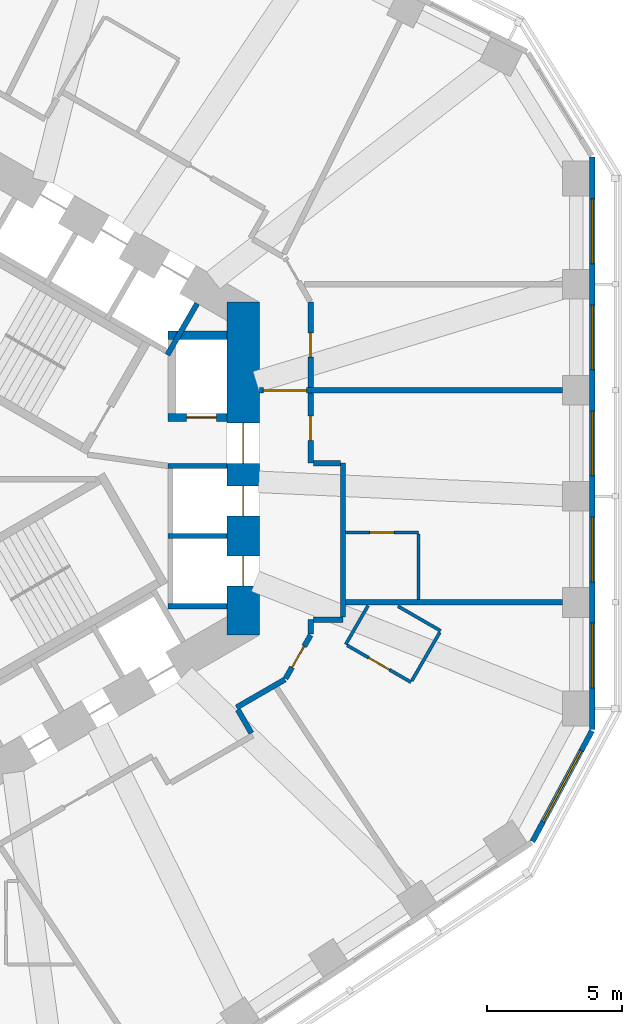
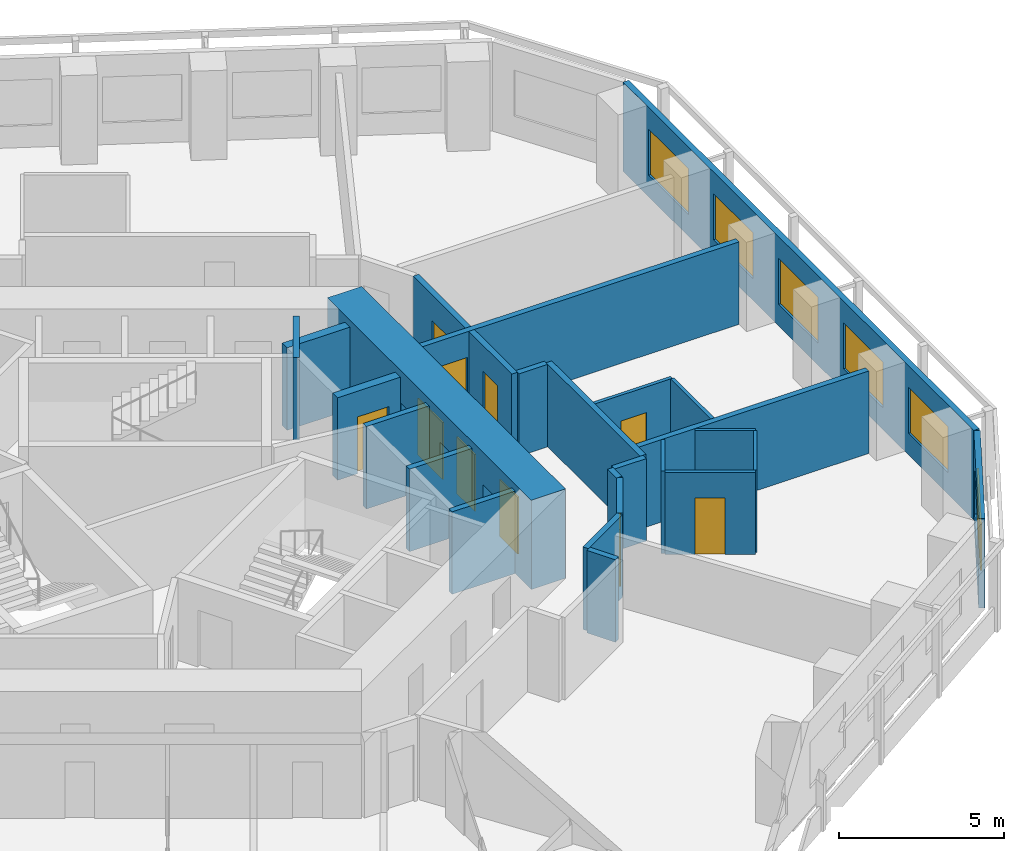
# One storey, part 6 of 11: 26 walls, 10 doors, 6 windows, 16 openings.
"""IFC4 building model written with IfcOpenShell, lengths in metres."""

from ifc_helpers import new_model, si_unit, direction, frame, frame_2d, origin, place, context, subcontext, project, spatial, rectangle, extrude, material, layer, layer_set, type_object, element, fill, save


model = new_model("IFC4")

# Units and contexts
model_context = context("Model", 3, precision=1e-05, world=origin(), true_north=direction((0.0, 1.0)))
body_context = subcontext(model_context, "Body", "Model", "MODEL_VIEW")
ifc_project = project(units=[si_unit("LENGTHUNIT", "METRE"), si_unit("AREAUNIT", "SQUARE_METRE"), si_unit("VOLUMEUNIT", "CUBIC_METRE"), si_unit("PLANEANGLEUNIT", "RADIAN"), si_unit("MASSUNIT", "GRAM", prefix="KILO")], contexts=[model_context])

# Site, building, storey
site_placement = place(None, origin())
site = spatial("IfcSite", under=ifc_project, at=site_placement, CompositionType="ELEMENT")
building_placement = place(site_placement, origin())
building = spatial("IfcBuilding", under=site, at=building_placement, Name="Vanh Sen Convention Tower", CompositionType="ELEMENT")
storey_placement = place(building_placement, frame((0.0, 0.0, 96.800048828125)))
storey = spatial("IfcBuildingStorey", under=building, at=storey_placement, Name="L22", CompositionType="ELEMENT", Elevation=96.800048828125)

# Wall
ifc_material_1 = material(Name="Moisture-resistant gypsum board on steel studs", Category="steel")
ifc_layer_1 = layer(ifc_material_1, 0.1201171875)
ifc_layer_set_1 = layer_set([ifc_layer_1], Name="Moisture-resistant gypsum board on steel studs")
wall_type_1 = type_object("IfcWallType", Name="Bathroom partition 120", PredefinedType="PARTITIONING", material=ifc_layer_set_1)
wall_1_placement = place(storey_placement, frame((13.90087890625, -6.5244140625, 0.0), z_axis=(0.0, 0.0, 1.0), x_axis=(0.499964162598, 0.86604609353, 0.0)))
element("IfcWall", 1, at=wall_1_placement, inside=storey, type_object=wall_type_1, Name="Bathroom partition 120", PredefinedType="PARTITIONING", context=body_context, shape_type="SweptSolid", body=[
    extrude(rectangle(XDim=1.6611328125, YDim=0.1201171875, at=frame_2d((0.83056640625, 0.0))), origin(), (0.0, 0.0, 1.0), 3.050048828125),
])

# Wall, opening, door
wall_2_placement = place(storey_placement, frame((13.90087890625, -2.364501953125, 0.0), z_axis=(0.0, 0.0, 1.0), x_axis=(1.0, 0.0, 0.0)))
wall_2 = element("IfcWall", 2, at=wall_2_placement, inside=storey, type_object=wall_type_1, Name="Bathroom partition 120", PredefinedType="PARTITIONING", context=body_context, shape_type="SweptSolid", body=[
    extrude(rectangle(XDim=2.7001953125, YDim=0.1201171875, at=frame_2d((1.35009765625, 0.0))), origin(), (0.0, 0.0, 1.0), 3.050048828125),
])
opening_1_placement = place(wall_2_placement, frame((0.89990234375, 0.0, 0.0)))
opening_1 = element("IfcOpeningElement", 3, at=opening_1_placement, cuts=wall_2, Name="Opening D22102", PredefinedType="OPENING", context=body_context, shape_type="SweptSolid", body=[
    extrude(rectangle(XDim=0.89990234375, YDim=2.10009765625, at=frame_2d((0.449951171875, 1.050048828125))), frame((0.0, 0.070068359375, 0.0), z_axis=(0.0, -1.0, 0.0), x_axis=(1.0, 0.0, 0.0)), (0.0, 0.0, 1.0), 0.14013671875),
])
ifc_material_2 = material(Name="Laminate door in steel frame", Category="steel")
door_type_1 = type_object("IfcDoorType", Name="En-suite door 900", OperationType="SINGLE_SWING_LEFT", PredefinedType="DOOR", material=ifc_material_2)
door_1_placement = place(opening_1_placement, origin())
door_1 = element("IfcDoor", 4, at=door_1_placement, inside=storey, type_object=door_type_1, Name="En-suite door D22102", OperationType="SINGLE_SWING_LEFT", OverallHeight=2.10009765625, OverallWidth=0.89990234375, PredefinedType="DOOR", context=body_context, shape_type="SweptSolid", body=[
    extrude(rectangle(XDim=0.89990234375, YDim=2.10009765625, at=frame_2d((0.449951171875, 1.050048828125))), frame((0.0, 0.02490234375, 0.0), z_axis=(0.0, -1.0, 0.0), x_axis=(1.0, 0.0, 0.0)), (0.0, 0.0, 1.0), 0.050048828125),
])
fill(opening_1, door_1)

# Wall
wall_3_placement = place(storey_placement, frame((15.84130859375, -5.1044921875, 0.0), z_axis=(0.0, 0.0, 1.0), x_axis=(0.866025591402, -0.499999675036, 0.0)))
element("IfcWall", 5, at=wall_3_placement, inside=storey, type_object=wall_type_1, Name="Bathroom partition 120", PredefinedType="PARTITIONING", context=body_context, shape_type="SweptSolid", body=[
    extrude(rectangle(XDim=1.82958984375, YDim=0.1201171875, at=frame_2d((0.914794921875, 0.0))), origin(), (0.0, 0.0, 1.0), 3.050048828125),
])

# Wall, opening, door
wall_4_placement = place(storey_placement, frame((16.32568359375, -7.924560546875, 0.0), z_axis=(0.0, 0.0, 1.0), x_axis=(-0.865997131366, 0.500048966069, 0.0)))
wall_4 = element("IfcWall", 6, at=wall_4_placement, inside=storey, type_object=wall_type_1, Name="Bathroom partition 120", PredefinedType="PARTITIONING", context=body_context, shape_type="SweptSolid", body=[
    extrude(rectangle(XDim=2.739990234375, YDim=0.1201171875, at=frame_2d((1.3701171875, 0.0))), origin(), (0.0, 0.0, 1.0), 3.050048828125),
])
opening_2_placement = place(wall_4_placement, frame((0.919921875, 0.0, 0.0)))
opening_2 = element("IfcOpeningElement", 7, at=opening_2_placement, cuts=wall_4, Name="Opening D22127", PredefinedType="OPENING", context=body_context, shape_type="SweptSolid", body=[
    extrude(rectangle(XDim=0.89990234375, YDim=2.10009765625, at=frame_2d((0.449951171875, 1.050048828125))), frame((0.0, 0.070068359375, 0.0), z_axis=(0.0, -1.0, 0.0), x_axis=(1.0, 0.0, 0.0)), (0.0, 0.0, 1.0), 0.14013671875),
])
door_2_placement = place(opening_2_placement, origin())
door_2 = element("IfcDoor", 8, at=door_2_placement, inside=storey, type_object=door_type_1, Name="En-suite door D22127", OperationType="SINGLE_SWING_LEFT", OverallHeight=2.10009765625, OverallWidth=0.89990234375, PredefinedType="DOOR", context=body_context, shape_type="SweptSolid", body=[
    extrude(rectangle(XDim=0.89990234375, YDim=2.10009765625, at=frame_2d((0.449951171875, 1.050048828125))), frame((0.0, 0.02490234375, 0.0), z_axis=(0.0, -1.0, 0.0), x_axis=(1.0, 0.0, 0.0)), (0.0, 0.0, 1.0), 0.050048828125),
])
fill(opening_2, door_2)

# Walls
wall_5_placement = place(storey_placement, frame((16.60107421875, -2.424560546875, 0.0), z_axis=(0.0, 0.0, 1.0), x_axis=(0.0, -1.0, 0.0)))
element("IfcWall", 9, at=wall_5_placement, inside=storey, type_object=wall_type_1, Name="Bathroom partition 120", PredefinedType="PARTITIONING", context=body_context, shape_type="SweptSolid", body=[
    extrude(rectangle(XDim=2.43994140625, YDim=0.1201171875, at=frame_2d((1.219970703125, 0.0))), origin(), (0.0, 0.0, 1.0), 3.050048828125),
])
wall_6_placement = place(storey_placement, frame((17.395751953125, -6.0712890625, 0.0), z_axis=(0.0, 0.0, 1.0), x_axis=(-0.500027264788, -0.866009661879, 0.0)))
element("IfcWall", 10, at=wall_6_placement, inside=storey, type_object=wall_type_1, Name="Bathroom partition 120", PredefinedType="PARTITIONING", context=body_context, shape_type="SweptSolid", body=[
    extrude(rectangle(XDim=2.080078125, YDim=0.1201171875, at=frame_2d((1.0400390625, 0.0))), origin(), (0.0, 0.0, 1.0), 3.050048828125),
])

# Wall, openings, doors
ifc_material_3 = material(Name="Concrete C80/95", Category="concrete")
ifc_layer_2 = layer(ifc_material_3, 1.199951171875)
ifc_layer_set_2 = layer_set([ifc_layer_2], Name="Concrete C80/95")
wall_type_2 = type_object("IfcWallType", Name="Core outer wall 1200 C80/95", PredefinedType="SHEAR", material=ifc_layer_set_2)
wall_7_placement = place(storey_placement, frame((10.10009765625, -6.177490234375, 0.0), z_axis=(0.0, 0.0, 1.0), x_axis=(0.0, 1.0, 0.0)))
wall_7 = element("IfcWall", 11, at=wall_7_placement, inside=storey, type_object=wall_type_2, Name="Core wall face E L22", PredefinedType="SHEAR", context=body_context, shape_type="SweptSolid", body=[
    extrude(rectangle(XDim=12.35498046875, YDim=1.199951171875, at=frame_2d((6.177490234375, 0.0))), origin(), (0.0, 0.0, 1.0), 3.300048828125),
])
opening_3_placement = place(wall_7_placement, frame((6.377685546875, 0.0, 0.0)))
opening_3 = element("IfcOpeningElement", 12, at=opening_3_placement, cuts=wall_7, Name="Opening D22001", PredefinedType="OPENING", context=body_context, shape_type="SweptSolid", body=[
    extrude(rectangle(XDim=1.5, YDim=2.10009765625, at=frame_2d((0.75, 1.050048828125))), frame((0.0, 0.60986328125, 0.0), z_axis=(0.0, -1.0, 0.0), x_axis=(1.0, 0.0, 0.0)), (0.0, 0.0, 1.0), 1.219970703125),
])
opening_4_placement = place(wall_7_placement, frame((1.82763671875, 0.0, 0.0)))
opening_4 = element("IfcOpeningElement", 13, at=opening_4_placement, cuts=wall_7, Name="Opening LD-LR1", PredefinedType="OPENING", context=body_context, shape_type="SweptSolid", body=[
    extrude(rectangle(XDim=1.10009765625, YDim=2.10009765625, at=frame_2d((0.550048828125, 1.050048828125))), frame((0.0, 0.60986328125, 0.0), z_axis=(0.0, -1.0, 0.0), x_axis=(1.0, 0.0, 0.0)), (0.0, 0.0, 1.0), 1.219970703125),
])
opening_5_placement = place(wall_7_placement, frame((4.427490234375, 0.0, 0.0)))
opening_5 = element("IfcOpeningElement", 14, at=opening_5_placement, cuts=wall_7, Name="Opening LD-LR2", PredefinedType="OPENING", context=body_context, shape_type="SweptSolid", body=[
    extrude(rectangle(XDim=1.10009765625, YDim=2.10009765625, at=frame_2d((0.550048828125, 1.050048828125))), frame((0.0, 0.60986328125, 0.0), z_axis=(0.0, -1.0, 0.0), x_axis=(1.0, 0.0, 0.0)), (0.0, 0.0, 1.0), 1.219970703125),
])
ifc_material_4 = material(Name="Stainless steel", Category="steel")
door_type_2 = type_object("IfcDoorType", Name="Lift landing door 1100", OperationType="DOUBLE_DOOR_SLIDING", PredefinedType="DOOR", material=ifc_material_4)
door_3_placement = place(opening_4_placement, origin())
door_3 = element("IfcDoor", 15, at=door_3_placement, inside=storey, type_object=door_type_2, Name="Lift LR1 landing door LD-LR1", OperationType="DOUBLE_DOOR_SLIDING", OverallHeight=2.10009765625, OverallWidth=1.10009765625, PredefinedType="DOOR", context=body_context, shape_type="SweptSolid", body=[
    extrude(rectangle(XDim=1.10009765625, YDim=2.10009765625, at=frame_2d((0.550048828125, 1.050048828125))), frame((0.0, 0.02490234375, 0.0), z_axis=(0.0, -1.0, 0.0), x_axis=(1.0, 0.0, 0.0)), (0.0, 0.0, 1.0), 0.050048828125),
])
fill(opening_4, door_3)
door_4_placement = place(opening_5_placement, origin())
door_4 = element("IfcDoor", 16, at=door_4_placement, inside=storey, type_object=door_type_2, Name="Lift LR2 landing door LD-LR2", OperationType="DOUBLE_DOOR_SLIDING", OverallHeight=2.10009765625, OverallWidth=1.10009765625, PredefinedType="DOOR", context=body_context, shape_type="SweptSolid", body=[
    extrude(rectangle(XDim=1.10009765625, YDim=2.10009765625, at=frame_2d((0.550048828125, 1.050048828125))), frame((0.0, 0.02490234375, 0.0), z_axis=(0.0, -1.0, 0.0), x_axis=(1.0, 0.0, 0.0)), (0.0, 0.0, 1.0), 0.050048828125),
])
fill(opening_5, door_4)
ifc_material_5 = material(Name="Steel S355", Category="steel")
door_type_3 = type_object("IfcDoorType", Name="Stair lobby door 1500", OperationType="DOUBLE_DOOR_SINGLE_SWING", PredefinedType="DOOR", material=ifc_material_5)
door_5_placement = place(opening_3_placement, origin())
door_5 = element("IfcDoor", 17, at=door_5_placement, inside=storey, type_object=door_type_3, Name="Stair lobby door D22001", OperationType="DOUBLE_DOOR_SINGLE_SWING", OverallHeight=2.10009765625, OverallWidth=1.5, PredefinedType="DOOR", context=body_context, shape_type="SweptSolid", body=[
    extrude(rectangle(XDim=1.5, YDim=2.10009765625, at=frame_2d((0.75, 1.050048828125))), frame((0.0, 0.02490234375, 0.0), z_axis=(0.0, -1.0, 0.0), x_axis=(1.0, 0.0, 0.0)), (0.0, 0.0, 1.0), 0.050048828125),
])
fill(opening_3, door_5)

# Walls
ifc_material_6 = material(Name="Gypsum board on steel studs with mineral wool", Category="steel")
ifc_layer_3 = layer(ifc_material_6, 0.199951171875)
ifc_layer_set_3 = layer_set([ifc_layer_3], Name="Gypsum board on steel studs with mineral wool")
wall_type_3 = type_object("IfcWallType", Name="Corridor partition wall 200", PredefinedType="PARTITIONING", material=ifc_layer_set_3)
wall_8_placement = place(storey_placement, frame((9.8515625, -8.861328125, 0.0), z_axis=(0.0, 0.0, 1.0), x_axis=(0.866013291437, 0.500020978615, 0.0)))
element("IfcWall", 18, at=wall_8_placement, inside=storey, type_object=wall_type_3, Name="Corridor partition wall 200", PredefinedType="PARTITIONING", context=body_context, shape_type="SweptSolid", body=[
    extrude(rectangle(XDim=2.07666015625, YDim=0.199951171875, at=frame_2d((1.038330078125, 0.0))), origin(), (0.0, 0.0, 1.0), 3.050048828125),
])
wall_9_placement = place(storey_placement, frame((10.402099609375, -9.81494140625, 0.0), z_axis=(0.0, 0.0, 1.0), x_axis=(-0.499968756647, 0.866043441391, 0.0)))
element("IfcWall", 19, at=wall_9_placement, inside=storey, type_object=wall_type_3, Name="Corridor partition wall 200", PredefinedType="PARTITIONING", context=body_context, shape_type="SweptSolid", body=[
    extrude(rectangle(XDim=1.0009765625, YDim=0.199951171875, at=frame_2d((0.50048828125, 0.0))), origin(), (0.0, 0.0, 1.0), 3.050048828125),
])

# Wall, opening, door
wall_10_placement = place(storey_placement, frame((11.669921875, -7.788330078125, 0.0), z_axis=(0.0, 0.0, 1.0), x_axis=(0.500063286585, 0.865988862174, 0.0)))
wall_10 = element("IfcWall", 20, at=wall_10_placement, inside=storey, type_object=wall_type_3, Name="Corridor partition wall 200", PredefinedType="PARTITIONING", context=body_context, shape_type="SweptSolid", body=[
    extrude(rectangle(XDim=1.860107421875, YDim=0.199951171875, at=frame_2d((0.93017578125, 0.0))), origin(), (0.0, 0.0, 1.0), 3.050048828125),
])
opening_6_placement = place(wall_10_placement, frame((0.47998046875, 0.0, 0.0)))
opening_6 = element("IfcOpeningElement", 21, at=opening_6_placement, cuts=wall_10, Name="Opening D22126", PredefinedType="OPENING", context=body_context, shape_type="SweptSolid", body=[
    extrude(rectangle(XDim=0.89990234375, YDim=2.10009765625, at=frame_2d((0.449951171875, 1.050048828125))), frame((0.0, 0.10986328125, 0.0), z_axis=(0.0, -1.0, 0.0), x_axis=(1.0, 0.0, 0.0)), (0.0, 0.0, 1.0), 0.219970703125),
])
ifc_material_7 = material(Name="Timber fire door in steel frame", Category="steel")
door_type_4 = type_object("IfcDoorType", Name="Guest room door 900", OperationType="SINGLE_SWING_LEFT", PredefinedType="DOOR", material=ifc_material_7)
door_6_placement = place(opening_6_placement, origin())
door_6 = element("IfcDoor", 22, at=door_6_placement, inside=storey, type_object=door_type_4, Name="Hotel guest room door D22126", OperationType="SINGLE_SWING_LEFT", OverallHeight=2.10009765625, OverallWidth=0.89990234375, PredefinedType="DOOR", context=body_context, shape_type="SweptSolid", body=[
    extrude(rectangle(XDim=0.89990234375, YDim=2.10009765625, at=frame_2d((0.449951171875, 1.050048828125))), frame((0.0, 0.02490234375, 0.0), z_axis=(0.0, -1.0, 0.0), x_axis=(1.0, 0.0, 0.0)), (0.0, 0.0, 1.0), 0.050048828125),
])
fill(opening_6, door_6)

# Wall
wall_11_placement = place(storey_placement, frame((12.60009765625, -6.1376953125, 0.0), z_axis=(0.0, 0.0, 1.0), x_axis=(0.0, 1.0, 0.0)))
element("IfcWall", 23, at=wall_11_placement, inside=storey, type_object=wall_type_3, Name="Corridor partition wall 200", PredefinedType="PARTITIONING", context=body_context, shape_type="SweptSolid", body=[
    extrude(rectangle(XDim=0.53662109375, YDim=0.199951171875, at=frame_2d((0.268310546875, 0.0))), origin(), (0.0, 0.0, 1.0), 3.050048828125),
])

# Wall, opening, door
wall_12_placement = place(storey_placement, frame((12.60009765625, 0.200927734375, 0.0), z_axis=(0.0, 0.0, 1.0), x_axis=(0.0, 1.0, 0.0)))
wall_12 = element("IfcWall", 24, at=wall_12_placement, inside=storey, type_object=wall_type_3, Name="Corridor partition wall 200", PredefinedType="PARTITIONING", context=body_context, shape_type="SweptSolid", body=[
    extrude(rectangle(XDim=2.603515625, YDim=0.199951171875, at=frame_2d((1.3017578125, 0.0))), origin(), (0.0, 0.0, 1.0), 3.050048828125),
])
opening_7_placement = place(wall_12_placement, frame((0.851806640625, 0.0, 0.0)))
opening_7 = element("IfcOpeningElement", 25, at=opening_7_placement, cuts=wall_12, Name="Opening D22101", PredefinedType="OPENING", context=body_context, shape_type="SweptSolid", body=[
    extrude(rectangle(XDim=0.89990234375, YDim=2.10009765625, at=frame_2d((0.449951171875, 1.050048828125))), frame((0.0, 0.10986328125, 0.0), z_axis=(0.0, -1.0, 0.0), x_axis=(1.0, 0.0, 0.0)), (0.0, 0.0, 1.0), 0.219970703125),
])
door_7_placement = place(opening_7_placement, origin())
door_7 = element("IfcDoor", 26, at=door_7_placement, inside=storey, type_object=door_type_4, Name="Hotel guest room door D22101", OperationType="SINGLE_SWING_LEFT", OverallHeight=2.10009765625, OverallWidth=0.89990234375, PredefinedType="DOOR", context=body_context, shape_type="SweptSolid", body=[
    extrude(rectangle(XDim=0.89990234375, YDim=2.10009765625, at=frame_2d((0.449951171875, 1.050048828125))), frame((0.0, 0.02490234375, 0.0), z_axis=(0.0, -1.0, 0.0), x_axis=(1.0, 0.0, 0.0)), (0.0, 0.0, 1.0), 0.050048828125),
])
fill(opening_7, door_7)

wall_13_placement = place(storey_placement, frame((12.60009765625, 3.00439453125, 0.0), z_axis=(0.0, 0.0, 1.0), x_axis=(0.0, 1.0, 0.0)))
wall_13 = element("IfcWall", 27, at=wall_13_placement, inside=storey, type_object=wall_type_3, Name="Corridor partition wall 200", PredefinedType="PARTITIONING", context=body_context, shape_type="SweptSolid", body=[
    extrude(rectangle(XDim=3.173095703125, YDim=0.199951171875, at=frame_2d((1.58642578125, 0.0))), origin(), (0.0, 0.0, 1.0), 3.050048828125),
])
opening_8_placement = place(wall_13_placement, frame((1.136474609375, 0.0, 0.0)))
opening_8 = element("IfcOpeningElement", 28, at=opening_8_placement, cuts=wall_13, Name="Opening D22103", PredefinedType="OPENING", context=body_context, shape_type="SweptSolid", body=[
    extrude(rectangle(XDim=0.89990234375, YDim=2.10009765625, at=frame_2d((0.449951171875, 1.050048828125))), frame((0.0, 0.10986328125, 0.0), z_axis=(0.0, -1.0, 0.0), x_axis=(1.0, 0.0, 0.0)), (0.0, 0.0, 1.0), 0.219970703125),
])
door_type_5 = type_object("IfcDoorType", Name="Floor service door 900", OperationType="SINGLE_SWING_LEFT", PredefinedType="DOOR", material=ifc_material_7)
door_8_placement = place(opening_8_placement, origin())
door_8 = element("IfcDoor", 29, at=door_8_placement, inside=storey, type_object=door_type_5, Name="Service room door D22103", OperationType="SINGLE_SWING_LEFT", OverallHeight=2.10009765625, OverallWidth=0.89990234375, PredefinedType="DOOR", context=body_context, shape_type="SweptSolid", body=[
    extrude(rectangle(XDim=0.89990234375, YDim=2.10009765625, at=frame_2d((0.449951171875, 1.050048828125))), frame((0.0, 0.02490234375, 0.0), z_axis=(0.0, -1.0, 0.0), x_axis=(1.0, 0.0, 0.0)), (0.0, 0.0, 1.0), 0.050048828125),
])
fill(opening_8, door_8)

# Walls
wall_14_placement = place(storey_placement, frame((12.699951171875, -5.60107421875, 0.0), z_axis=(0.0, 0.0, 1.0), x_axis=(1.0, 0.0, 0.0)))
element("IfcWall", 30, at=wall_14_placement, inside=storey, type_object=wall_type_3, Name="Corridor partition wall 200", PredefinedType="PARTITIONING", context=body_context, shape_type="SweptSolid", body=[
    extrude(rectangle(XDim=1.10107421875, YDim=0.199951171875, at=frame_2d((0.550537109375, 0.0))), origin(), (0.0, 0.0, 1.0), 3.050048828125),
])
wall_15_placement = place(storey_placement, frame((13.700927734375, 0.200927734375, 0.0), z_axis=(0.0, 0.0, 1.0), x_axis=(-1.0, 0.0, 0.0)))
element("IfcWall", 31, at=wall_15_placement, inside=storey, type_object=wall_type_3, Name="Corridor partition wall 200", PredefinedType="PARTITIONING", context=body_context, shape_type="SweptSolid", body=[
    extrude(rectangle(XDim=1.0009765625, YDim=0.199951171875, at=frame_2d((0.50048828125, 0.0))), origin(), (0.0, 0.0, 1.0), 3.050048828125),
])
wall_16_placement = place(storey_placement, frame((13.801025390625, -5.5009765625, 0.0), z_axis=(0.0, 0.0, 1.0), x_axis=(0.0, 1.0, 0.0)))
element("IfcWall", 32, at=wall_16_placement, inside=storey, type_object=wall_type_3, Name="Corridor partition wall 200", PredefinedType="PARTITIONING", context=body_context, shape_type="SweptSolid", body=[
    extrude(rectangle(XDim=5.701904296875, YDim=0.199951171875, at=frame_2d((2.85107421875, 0.0))), origin(), (0.0, 0.0, 1.0), 3.050048828125),
])

# Wall, openings, windows
ifc_material_8 = material(Name="Insulated lightweight infill wall")
ifc_layer_4 = layer(ifc_material_8, 0.199951171875)
ifc_layer_set_4 = layer_set([ifc_layer_4], Name="Insulated lightweight infill wall")
wall_type_4 = type_object("IfcWallType", Name="External wall 200", PredefinedType="STANDARD", material=ifc_layer_set_4)
wall_17_placement = place(storey_placement, frame((23.050048828125, -9.6865234375, 0.0), z_axis=(0.0, 0.0, 1.0), x_axis=(0.0, 1.0, 0.0)))
wall_17 = element("IfcWall", 33, at=wall_17_placement, inside=storey, type_object=wall_type_4, Name="External wall E L22", PredefinedType="STANDARD", context=body_context, shape_type="SweptSolid", body=[
    extrude(rectangle(XDim=21.24609375, YDim=0.199951171875, at=frame_2d((10.623046875, 0.0))), origin(), (0.0, 0.0, 1.0), 3.300048828125),
])
opening_9_placement = place(wall_17_placement, frame((1.5546875, 0.0, 0.800048828125)))
opening_9 = element("IfcOpeningElement", 34, at=opening_9_placement, cuts=wall_17, Name="Opening WH1-E1", PredefinedType="OPENING", context=body_context, shape_type="SweptSolid", body=[
    extrude(rectangle(XDim=2.39990234375, YDim=1.699951171875, at=frame_2d((1.199951171875, 0.85009765625))), frame((0.0, 0.10986328125, 0.0), z_axis=(0.0, -1.0, 0.0), x_axis=(1.0, 0.0, 0.0)), (0.0, 0.0, 1.0), 0.219970703125),
])
opening_10_placement = place(wall_17_placement, frame((5.4892578125, 0.0, 0.800048828125)))
opening_10 = element("IfcOpeningElement", 35, at=opening_10_placement, cuts=wall_17, Name="Opening WH1-E2", PredefinedType="OPENING", context=body_context, shape_type="SweptSolid", body=[
    extrude(rectangle(XDim=2.39990234375, YDim=1.699951171875, at=frame_2d((1.199951171875, 0.85009765625))), frame((0.0, 0.10986328125, 0.0), z_axis=(0.0, -1.0, 0.0), x_axis=(1.0, 0.0, 0.0)), (0.0, 0.0, 1.0), 0.219970703125),
])
opening_11_placement = place(wall_17_placement, frame((9.423828125, 0.0, 0.800048828125)))
opening_11 = element("IfcOpeningElement", 36, at=opening_11_placement, cuts=wall_17, Name="Opening WH1-E3", PredefinedType="OPENING", context=body_context, shape_type="SweptSolid", body=[
    extrude(rectangle(XDim=2.39990234375, YDim=1.699951171875, at=frame_2d((1.199951171875, 0.85009765625))), frame((0.0, 0.10986328125, 0.0), z_axis=(0.0, -1.0, 0.0), x_axis=(1.0, 0.0, 0.0)), (0.0, 0.0, 1.0), 0.219970703125),
])
opening_12_placement = place(wall_17_placement, frame((13.3583984375, 0.0, 0.800048828125)))
opening_12 = element("IfcOpeningElement", 37, at=opening_12_placement, cuts=wall_17, Name="Opening WH1-E4", PredefinedType="OPENING", context=body_context, shape_type="SweptSolid", body=[
    extrude(rectangle(XDim=2.39990234375, YDim=1.699951171875, at=frame_2d((1.199951171875, 0.85009765625))), frame((0.0, 0.10986328125, 0.0), z_axis=(0.0, -1.0, 0.0), x_axis=(1.0, 0.0, 0.0)), (0.0, 0.0, 1.0), 0.219970703125),
])
opening_13_placement = place(wall_17_placement, frame((17.29296875, 0.0, 0.800048828125)))
opening_13 = element("IfcOpeningElement", 38, at=opening_13_placement, cuts=wall_17, Name="Opening WH1-E5", PredefinedType="OPENING", context=body_context, shape_type="SweptSolid", body=[
    extrude(rectangle(XDim=2.39990234375, YDim=1.699951171875, at=frame_2d((1.199951171875, 0.85009765625))), frame((0.0, 0.10986328125, 0.0), z_axis=(0.0, -1.0, 0.0), x_axis=(1.0, 0.0, 0.0)), (0.0, 0.0, 1.0), 0.219970703125),
])
ifc_material_9 = material(Name="Aluminium frame with clear low-emissivity glass", Category="aluminium")
window_type_1 = type_object("IfcWindowType", Name="Hotel window 2400 x 1700", PartitioningType="SINGLE_PANEL", PredefinedType="WINDOW", material=ifc_material_9)
window_1_placement = place(opening_9_placement, origin())
window_1 = element("IfcWindow", 39, at=window_1_placement, inside=storey, type_object=window_type_1, Name="Window WH1-E1", OverallHeight=1.699951171875, OverallWidth=2.39990234375, PartitioningType="SINGLE_PANEL", PredefinedType="WINDOW", context=body_context, shape_type="SweptSolid", body=[
    extrude(rectangle(XDim=2.39990234375, YDim=1.699951171875, at=frame_2d((1.199951171875, 0.85009765625))), frame((0.0, 0.030029296875, 0.0), z_axis=(0.0, -1.0, 0.0), x_axis=(1.0, 0.0, 0.0)), (0.0, 0.0, 1.0), 0.06005859375),
])
fill(opening_9, window_1)
window_2_placement = place(opening_10_placement, origin())
window_2 = element("IfcWindow", 40, at=window_2_placement, inside=storey, type_object=window_type_1, Name="Window WH1-E2", OverallHeight=1.699951171875, OverallWidth=2.39990234375, PartitioningType="SINGLE_PANEL", PredefinedType="WINDOW", context=body_context, shape_type="SweptSolid", body=[
    extrude(rectangle(XDim=2.39990234375, YDim=1.699951171875, at=frame_2d((1.199951171875, 0.85009765625))), frame((0.0, 0.030029296875, 0.0), z_axis=(0.0, -1.0, 0.0), x_axis=(1.0, 0.0, 0.0)), (0.0, 0.0, 1.0), 0.06005859375),
])
fill(opening_10, window_2)
window_3_placement = place(opening_11_placement, origin())
window_3 = element("IfcWindow", 41, at=window_3_placement, inside=storey, type_object=window_type_1, Name="Window WH1-E3", OverallHeight=1.699951171875, OverallWidth=2.39990234375, PartitioningType="SINGLE_PANEL", PredefinedType="WINDOW", context=body_context, shape_type="SweptSolid", body=[
    extrude(rectangle(XDim=2.39990234375, YDim=1.699951171875, at=frame_2d((1.199951171875, 0.85009765625))), frame((0.0, 0.030029296875, 0.0), z_axis=(0.0, -1.0, 0.0), x_axis=(1.0, 0.0, 0.0)), (0.0, 0.0, 1.0), 0.06005859375),
])
fill(opening_11, window_3)
window_4_placement = place(opening_12_placement, origin())
window_4 = element("IfcWindow", 42, at=window_4_placement, inside=storey, type_object=window_type_1, Name="Window WH1-E4", OverallHeight=1.699951171875, OverallWidth=2.39990234375, PartitioningType="SINGLE_PANEL", PredefinedType="WINDOW", context=body_context, shape_type="SweptSolid", body=[
    extrude(rectangle(XDim=2.39990234375, YDim=1.699951171875, at=frame_2d((1.199951171875, 0.85009765625))), frame((0.0, 0.030029296875, 0.0), z_axis=(0.0, -1.0, 0.0), x_axis=(1.0, 0.0, 0.0)), (0.0, 0.0, 1.0), 0.06005859375),
])
fill(opening_12, window_4)
window_5_placement = place(opening_13_placement, origin())
window_5 = element("IfcWindow", 43, at=window_5_placement, inside=storey, type_object=window_type_1, Name="Window WH1-E5", OverallHeight=1.699951171875, OverallWidth=2.39990234375, PartitioningType="SINGLE_PANEL", PredefinedType="WINDOW", context=body_context, shape_type="SweptSolid", body=[
    extrude(rectangle(XDim=2.39990234375, YDim=1.699951171875, at=frame_2d((1.199951171875, 0.85009765625))), frame((0.0, 0.030029296875, 0.0), z_axis=(0.0, -1.0, 0.0), x_axis=(1.0, 0.0, 0.0)), (0.0, 0.0, 1.0), 0.06005859375),
])
fill(opening_13, window_5)

# Wall, opening, window
wall_18_placement = place(storey_placement, frame((20.83251953125, -13.838623046875, 0.0), z_axis=(0.0, 0.0, 1.0), x_axis=(0.473321668581, 0.880889662813, 0.0)))
wall_18 = element("IfcWall", 44, at=wall_18_placement, inside=storey, type_object=wall_type_4, Name="External wall CH6 L22", PredefinedType="STANDARD", context=body_context, shape_type="SweptSolid", body=[
    extrude(rectangle(XDim=4.65966796875, YDim=0.199951171875, at=frame_2d((2.329833984375, 0.0))), origin(), (0.0, 0.0, 1.0), 3.300048828125),
])
opening_14_placement = place(wall_18_placement, frame((0.829833984375, 0.0, 0.800048828125)))
opening_14 = element("IfcOpeningElement", 45, at=opening_14_placement, cuts=wall_18, Name="Opening WH2-CH61", PredefinedType="OPENING", context=body_context, shape_type="SweptSolid", body=[
    extrude(rectangle(XDim=3.0, YDim=1.699951171875, at=frame_2d((1.5, 0.85009765625))), frame((0.0, 0.10986328125, 0.0), z_axis=(0.0, -1.0, 0.0), x_axis=(1.0, 0.0, 0.0)), (0.0, 0.0, 1.0), 0.219970703125),
])
window_type_2 = type_object("IfcWindowType", Name="Hotel window 3000 x 1700", PartitioningType="SINGLE_PANEL", PredefinedType="WINDOW", material=ifc_material_9)
window_6_placement = place(opening_14_placement, origin())
window_6 = element("IfcWindow", 46, at=window_6_placement, inside=storey, type_object=window_type_2, Name="Window WH2-CH61", OverallHeight=1.699951171875, OverallWidth=3.0, PartitioningType="SINGLE_PANEL", PredefinedType="WINDOW", context=body_context, shape_type="SweptSolid", body=[
    extrude(rectangle(XDim=3.0, YDim=1.699951171875, at=frame_2d((1.5, 0.85009765625))), frame((0.0, 0.030029296875, 0.0), z_axis=(0.0, -1.0, 0.0), x_axis=(1.0, 0.0, 0.0)), (0.0, 0.0, 1.0), 0.06005859375),
])
fill(opening_14, window_6)

# Wall, opening, door
ifc_material_10 = material(Name="Concrete C60/75", Category="concrete")
ifc_layer_5 = layer(ifc_material_10, 0.300048828125)
ifc_layer_set_5 = layer_set([ifc_layer_5], Name="Concrete C60/75")
wall_type_5 = type_object("IfcWallType", Name="Fire-fighting lift shaft wall 300", PredefinedType="SHEAR", material=ifc_layer_set_5)
wall_19_placement = place(storey_placement, frame((7.300048828125, 1.89990234375, 0.0), z_axis=(0.0, 0.0, 1.0), x_axis=(1.0, 0.0, 0.0)))
wall_19 = element("IfcWall", 47, at=wall_19_placement, inside=storey, type_object=wall_type_5, Name="Fire-fighting lift shaft wall L22", PredefinedType="SHEAR", context=body_context, shape_type="SweptSolid", body=[
    extrude(rectangle(XDim=2.199951171875, YDim=0.300048828125, at=frame_2d((1.10009765625, 0.0))), origin(), (0.0, 0.0, 1.0), 3.050048828125),
])
opening_15_placement = place(wall_19_placement, frame((0.699951171875, 0.0, 0.0)))
opening_15 = element("IfcOpeningElement", 48, at=opening_15_placement, cuts=wall_19, Name="Opening LD-FF1", PredefinedType="OPENING", context=body_context, shape_type="SweptSolid", body=[
    extrude(rectangle(XDim=1.10009765625, YDim=2.10009765625, at=frame_2d((0.550048828125, 1.050048828125))), frame((0.0, 0.159912109375, 0.0), z_axis=(0.0, -1.0, 0.0), x_axis=(1.0, 0.0, 0.0)), (0.0, 0.0, 1.0), 0.320068359375),
])
door_type_6 = type_object("IfcDoorType", Name="Fire-fighting lift landing door 1100", OperationType="DOUBLE_DOOR_SLIDING", PredefinedType="DOOR", material=ifc_material_4)
door_9_placement = place(opening_15_placement, origin())
door_9 = element("IfcDoor", 49, at=door_9_placement, inside=storey, type_object=door_type_6, Name="Lift FF1 landing door LD-FF1", OperationType="DOUBLE_DOOR_SLIDING", OverallHeight=2.10009765625, OverallWidth=1.10009765625, PredefinedType="DOOR", context=body_context, shape_type="SweptSolid", body=[
    extrude(rectangle(XDim=1.10009765625, YDim=2.10009765625, at=frame_2d((0.550048828125, 1.050048828125))), frame((0.0, 0.02490234375, 0.0), z_axis=(0.0, -1.0, 0.0), x_axis=(1.0, 0.0, 0.0)), (0.0, 0.0, 1.0), 0.050048828125),
])
fill(opening_15, door_9)

# Walls
wall_20_placement = place(storey_placement, frame((7.300048828125, 4.949951171875, 0.0), z_axis=(0.0, 0.0, 1.0), x_axis=(1.0, 0.0, 0.0)))
element("IfcWall", 50, at=wall_20_placement, inside=storey, type_object=wall_type_5, Name="Fire-fighting lift shaft wall L22", PredefinedType="SHEAR", context=body_context, shape_type="SweptSolid", body=[
    extrude(rectangle(XDim=2.199951171875, YDim=0.300048828125, at=frame_2d((1.10009765625, 0.0))), origin(), (0.0, 0.0, 1.0), 3.050048828125),
])
ifc_layer_6 = layer(ifc_material_6, 0.199951171875)
ifc_layer_set_6 = layer_set([ifc_layer_6], Name="Gypsum board on steel studs with mineral wool")
wall_type_6 = type_object("IfcWallType", Name="Hotel party wall 200", PredefinedType="PARTITIONING", material=ifc_layer_set_6)
wall_21_placement = place(storey_placement, frame((13.90087890625, -4.964599609375, 0.0), z_axis=(0.0, 0.0, 1.0), x_axis=(1.0, 0.0, 0.0)))
element("IfcWall", 51, at=wall_21_placement, inside=storey, type_object=wall_type_6, Name="Hotel party wall 200", PredefinedType="PARTITIONING", context=body_context, shape_type="SweptSolid", body=[
    extrude(rectangle(XDim=8.049072265625, YDim=0.199951171875, at=frame_2d((4.0244140625, 0.0))), origin(), (0.0, 0.0, 1.0), 3.050048828125),
])
ifc_material_11 = material(Name="Concrete C40/50", Category="concrete")
ifc_layer_7 = layer(ifc_material_11, 0.199951171875)
ifc_layer_set_7 = layer_set([ifc_layer_7], Name="Concrete C40/50")
wall_type_7 = type_object("IfcWallType", Name="Lift shaft wall 200", PredefinedType="PARTITIONING", material=ifc_layer_set_7)
for number, where, z_axis, x_axis, name in (
    (52, (7.300048828125, -5.10009765625, 0.0), (0.0, 0.0, 1.0), (1.0, 0.0, 0.0), "Lift shaft wall L22"),
    (53, (7.300048828125, -2.5, 0.0), (0.0, 0.0, 1.0), (1.0, 0.0, 0.0), "Lift shaft wall L22"),
    (54, (7.300048828125, 0.10009765625, 0.0), (0.0, 0.0, 1.0), (1.0, 0.0, 0.0), "Lift shaft wall L22"),
    (55, (7.287353515625, 4.221923828125, 0.0), (0.0, 0.0, 1.0), (0.499946605688, 0.86605622881, 0.0), "Lift shaft wall L22"),
):
    element("IfcWall", number, at=place(storey_placement, frame(where, z_axis=z_axis, x_axis=x_axis)), inside=storey, type_object=wall_type_7, Name=name, PredefinedType="PARTITIONING", context=body_context, shape_type="SweptSolid", body=[
        extrude(rectangle(XDim=2.199951171875, YDim=0.199951171875, at=frame_2d((1.10009765625, 0.0))), origin(), (0.0, 0.0, 1.0), 3.050048828125),
    ])

# Wall, opening, door
ifc_material_12 = material(Name="Concrete C20/25", Category="concrete")
ifc_layer_8 = layer(ifc_material_12, 0.199951171875)
ifc_layer_set_8 = layer_set([ifc_layer_8], Name="Concrete C20/25")
wall_type_8 = type_object("IfcWallType", Name="Sub-compartment wall 200", PredefinedType="PARTITIONING", material=ifc_layer_set_8)
wall_22_placement = place(storey_placement, frame((21.949951171875, 2.904541015625, 0.0), z_axis=(0.0, 0.0, 1.0), x_axis=(-1.0, 0.0, 0.0)))
wall_22 = element("IfcWall", 56, at=wall_22_placement, inside=storey, type_object=wall_type_8, Name="Sub-compartment wall 200", PredefinedType="PARTITIONING", context=body_context, shape_type="SweptSolid", body=[
    extrude(rectangle(XDim=11.25, YDim=0.199951171875, at=frame_2d((5.625, 0.0))), origin(), (0.0, 0.0, 1.0), 3.050048828125),
])
opening_16_placement = place(wall_22_placement, frame((9.5, 0.0, 0.0)))
opening_16 = element("IfcOpeningElement", 57, at=opening_16_placement, cuts=wall_22, Name="Opening D22129", PredefinedType="OPENING", context=body_context, shape_type="SweptSolid", body=[
    extrude(rectangle(XDim=1.60009765625, YDim=2.10009765625, at=frame_2d((0.800048828125, 1.050048828125))), frame((0.0, 0.10986328125, 0.0), z_axis=(0.0, -1.0, 0.0), x_axis=(1.0, 0.0, 0.0)), (0.0, 0.0, 1.0), 0.219970703125),
])
ifc_material_13 = material(Name="Steel S355", Category="steel")
door_type_7 = type_object("IfcDoorType", Name="Corridor fire door 1600", OperationType="DOUBLE_DOOR_SINGLE_SWING", PredefinedType="DOOR", material=ifc_material_13)
door_10_placement = place(opening_16_placement, origin())
door_10 = element("IfcDoor", 58, at=door_10_placement, inside=storey, type_object=door_type_7, Name="Sub-compartment door D22129", OperationType="DOUBLE_DOOR_SINGLE_SWING", OverallHeight=2.10009765625, OverallWidth=1.60009765625, PredefinedType="DOOR", context=body_context, shape_type="SweptSolid", body=[
    extrude(rectangle(XDim=1.60009765625, YDim=2.10009765625, at=frame_2d((0.800048828125, 1.050048828125))), frame((0.0, 0.02490234375, 0.0), z_axis=(0.0, -1.0, 0.0), x_axis=(1.0, 0.0, 0.0)), (0.0, 0.0, 1.0), 0.050048828125),
])
fill(opening_16, door_10)

save(model, "model.ifc")
